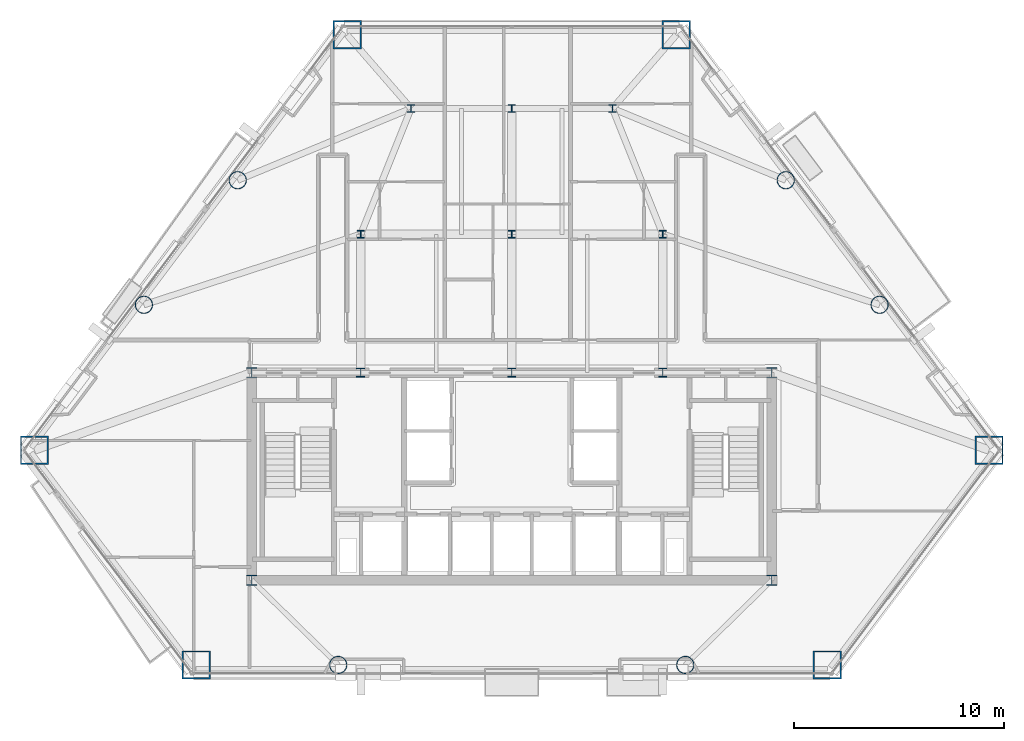
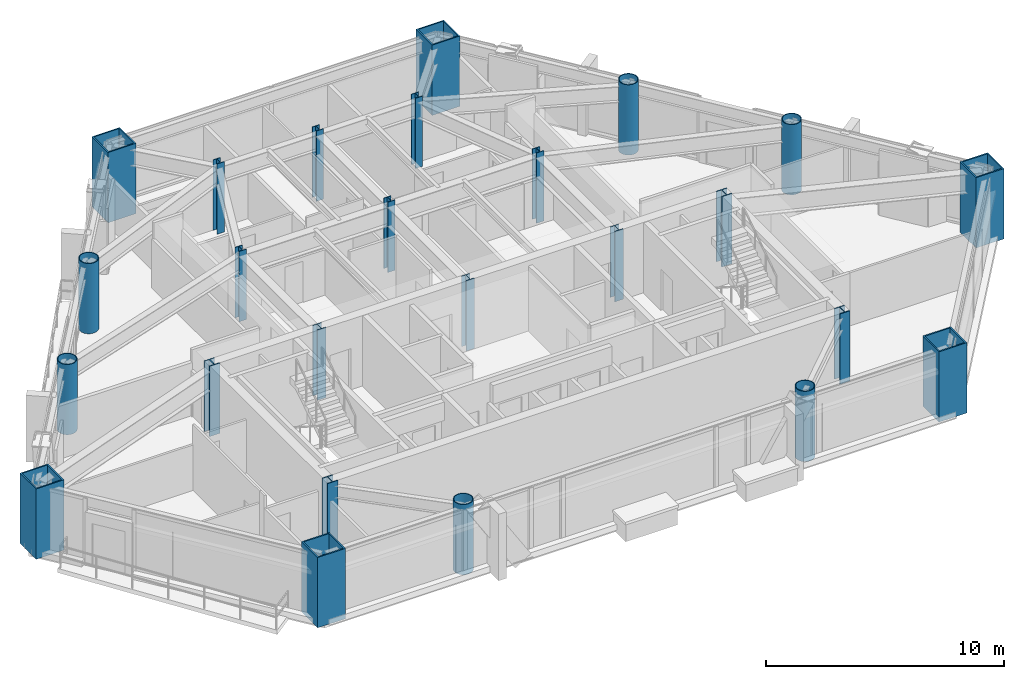
# One storey, part 1 of 11: 25 columns.
"""IFC4 building model written with IfcOpenShell, lengths in metres."""

from ifc_helpers import new_model, si_unit, direction, frame, origin, origin_2d, place, context, subcontext, project, spatial, hollow_rectangle, hollow_circle, i_section, extrude, material, material_profile, profile_set, type_object, element, save


model = new_model("IFC4")

# Units and contexts
model_context = context("Model", 3, precision=1e-05, world=origin(), true_north=direction((0.0, 1.0)))
body_context = subcontext(model_context, "Body", "Model", "MODEL_VIEW")
ifc_project = project(units=[si_unit("LENGTHUNIT", "METRE"), si_unit("AREAUNIT", "SQUARE_METRE"), si_unit("VOLUMEUNIT", "CUBIC_METRE"), si_unit("PLANEANGLEUNIT", "RADIAN"), si_unit("MASSUNIT", "GRAM", prefix="KILO")], contexts=[model_context])

# Site, building, storey
site_placement = place(None, origin())
site = spatial("IfcSite", under=ifc_project, at=site_placement, CompositionType="ELEMENT")
building_placement = place(site_placement, origin())
building = spatial("IfcBuilding", under=site, at=building_placement, Name="Talgorran Terracotta Tower", CompositionType="ELEMENT")
storey_placement = place(building_placement, frame((0.0, 0.0, 45.89990234375)))
storey = spatial("IfcBuildingStorey", under=building, at=storey_placement, Name="L11", CompositionType="ELEMENT", Elevation=45.89990234375)

# Columns
ifc_material_1 = material(Name="Steel S355 (300PLUS)", Category="steel")
ifc_material_profile_1 = material_profile(ifc_material_1, i_section(OverallWidth=0.35009765625, OverallDepth=0.366943359375, WebThickness=0.02490234375, FlangeThickness=0.031982421875, at=origin_2d()), Name="350WC258")
ifc_profile_set_1 = profile_set([ifc_material_profile_1], Name="Steel S355 (300PLUS)")
column_type_1 = type_object("IfcColumnType", Name="COL_350WC258", PredefinedType="COLUMN", material=ifc_profile_set_1)
for number, where, z_axis, x_axis, name in (
    (1, (-7.199951171875, 2.39990234375, 0.0), (0.0, 0.0, 1.0), (1.0, 0.0, 0.0), "L11 Interior Gravity Column IC1"),
    (2, (0.0, 2.39990234375, 0.0), (0.0, 0.0, 1.0), (1.0, 0.0, 0.0), "L11 Interior Gravity Column IC2"),
    (3, (7.199951171875, 2.39990234375, 0.0), (0.0, 0.0, 1.0), (1.0, 0.0, 0.0), "L11 Interior Gravity Column IC3"),
    (4, (-4.800048828125, 8.39990234375, 0.0), (0.0, 0.0, 1.0), (1.0, 0.0, 0.0), "L11 Interior Gravity Column IC4"),
    (5, (0.0, 8.39990234375, 0.0), (0.0, 0.0, 1.0), (1.0, 0.0, 0.0), "L11 Interior Gravity Column IC5"),
    (6, (4.800048828125, 8.39990234375, 0.0), (0.0, 0.0, 1.0), (1.0, 0.0, 0.0), "L11 Interior Gravity Column IC6"),
):
    element("IfcColumn", number, at=place(storey_placement, frame(where, z_axis=z_axis, x_axis=x_axis)), inside=storey, type_object=column_type_1, Name=name, PredefinedType="COLUMN", context=body_context, shape_type="SweptSolid", body=[
        extrude(i_section(OverallWidth=0.35009765625, OverallDepth=0.366943359375, WebThickness=0.02490234375, FlangeThickness=0.031982421875, at=origin_2d()), origin(), (0.0, 0.0, 1.0), 3.60009765625),
    ])
ifc_material_profile_2 = material_profile(ifc_material_1, i_section(OverallWidth=0.5, OverallDepth=0.48193359375, WebThickness=0.0400390625, FlangeThickness=0.044921875, at=origin_2d()), Name="500WC440")
ifc_profile_set_2 = profile_set([ifc_material_profile_2], Name="Steel S355 (300PLUS)")
column_type_2 = type_object("IfcColumnType", Name="COL_500WC440", PredefinedType="COLUMN", material=ifc_profile_set_2)
for number, where, z_axis, x_axis, name in (
    (7, (-12.39990234375, -14.10009765625, 0.0), (0.0, 0.0, 1.0), (1.0, 0.0, 0.0), "L11 Core Boundary Column CC1"),
    (8, (12.39990234375, -14.10009765625, 0.0), (0.0, 0.0, 1.0), (1.0, 0.0, 0.0), "L11 Core Boundary Column CC2"),
    (9, (12.39990234375, -4.199951171875, 0.0), (0.0, 0.0, 1.0), (1.0, 0.0, 0.0), "L11 Core Boundary Column CC3"),
    (10, (-12.39990234375, -4.199951171875, 0.0), (0.0, 0.0, 1.0), (1.0, 0.0, 0.0), "L11 Core Boundary Column CC4"),
):
    element("IfcColumn", number, at=place(storey_placement, frame(where, z_axis=z_axis, x_axis=x_axis)), inside=storey, type_object=column_type_2, Name=name, PredefinedType="COLUMN", context=body_context, shape_type="SweptSolid", body=[
        extrude(i_section(OverallWidth=0.5, OverallDepth=0.48193359375, WebThickness=0.0400390625, FlangeThickness=0.044921875, at=origin_2d()), origin(), (0.0, 0.0, 1.0), 3.60009765625),
    ])
ifc_material_2 = material(Name="Steel Grade 350 (350L0)", Category="steel")
ifc_material_profile_3 = material_profile(ifc_material_2, hollow_rectangle(XDim=1.35009765625, YDim=1.35009765625, WallThickness=0.06494140625, at=origin_2d()), Name="CFT1350X1350X65")
ifc_profile_set_3 = profile_set([ifc_material_profile_3], Name="Steel Grade 350 (350L0)")
column_type_3 = type_object("IfcColumnType", Name="COL_CFT_1350", PredefinedType="COLUMN", material=ifc_profile_set_3)
for number, where, z_axis, x_axis, name in (
    (11, (-22.759033203125, -7.892333984375, 0.0), (0.0, 0.0, 1.0), (1.0, 0.0, 0.0), "L11 Corner CFT Mega-Column MC1"),
    (12, (-15.0439453125, -18.135498046875, 0.0), (0.0, 0.0, 1.0), (1.0, 0.0, 0.0), "L11 Corner CFT Mega-Column MC2"),
    (13, (15.0439453125, -18.135498046875, 0.0), (0.0, 0.0, 1.0), (1.0, 0.0, 0.0), "L11 Corner CFT Mega-Column MC3"),
    (14, (22.759033203125, -7.892333984375, 0.0), (0.0, 0.0, 1.0), (1.0, 0.0, 0.0), "L11 Corner CFT Mega-Column MC4"),
    (15, (7.847412109375, 11.90576171875, 0.0), (0.0, 0.0, 1.0), (1.0, 0.0, 0.0), "L11 Corner CFT Mega-Column MC5"),
    (16, (-7.847412109375, 11.90576171875, 0.0), (0.0, 0.0, 1.0), (1.0, 0.0, 0.0), "L11 Corner CFT Mega-Column MC6"),
):
    element("IfcColumn", number, at=place(storey_placement, frame(where, z_axis=z_axis, x_axis=x_axis)), inside=storey, type_object=column_type_3, Name=name, PredefinedType="COLUMN", context=body_context, shape_type="SweptSolid", body=[
        extrude(hollow_rectangle(XDim=1.35009765625, YDim=1.35009765625, WallThickness=0.06494140625, at=origin_2d()), origin(), (0.0, 0.0, 1.0), 3.60009765625),
    ])
ifc_material_profile_4 = material_profile(ifc_material_2, hollow_circle(Radius=0.425048828125, WallThickness=0.0380859375, at=origin_2d()), Name="CHS850X38")
ifc_profile_set_4 = profile_set([ifc_material_profile_4], Name="Steel Grade 350 (350L0)")
column_type_4 = type_object("IfcColumnType", Name="COL_CHS_850", PredefinedType="COLUMN", material=ifc_profile_set_4)
for number, where, z_axis, x_axis, name in (
    (17, (-8.274169921875, -18.135498046875, 0.0), (0.0, 0.0, 1.0), (1.0, 0.0, 0.0), "L11 Facet Perimeter Column FC1"),
    (18, (8.274169921875, -18.135498046875, 0.0), (0.0, 0.0, 1.0), (1.0, 0.0, 0.0), "L11 Facet Perimeter Column FC2"),
    (19, (17.539794921875, -0.963134765625, 0.0), (0.0, 0.0, 1.0), (1.0, 0.0, 0.0), "L11 Facet Perimeter Column FC3"),
    (20, (13.06640625, 4.976318359375, 0.0), (0.0, 0.0, 1.0), (1.0, 0.0, 0.0), "L11 Facet Perimeter Column FC4"),
    (21, (-13.06640625, 4.976318359375, 0.0), (0.0, 0.0, 1.0), (1.0, 0.0, 0.0), "L11 Facet Perimeter Column FC5"),
    (22, (-17.539794921875, -0.963134765625, 0.0), (0.0, 0.0, 1.0), (1.0, 0.0, 0.0), "L11 Facet Perimeter Column FC6"),
):
    element("IfcColumn", number, at=place(storey_placement, frame(where, z_axis=z_axis, x_axis=x_axis)), inside=storey, type_object=column_type_4, Name=name, PredefinedType="COLUMN", context=body_context, shape_type="SweptSolid", body=[
        extrude(hollow_circle(Radius=0.425048828125, WallThickness=0.0380859375, at=origin_2d()), origin(), (0.0, 0.0, 1.0), 3.60009765625),
    ])
ifc_material_profile_5 = material_profile(ifc_material_1, i_section(OverallWidth=0.405029296875, OverallDepth=0.4140625, WebThickness=0.02197265625, FlangeThickness=0.031982421875, at=origin_2d()), Name="400WC270")
ifc_profile_set_5 = profile_set([ifc_material_profile_5], Name="Steel S355 (300PLUS)")
column_type_5 = type_object("IfcColumnType", Name="COL_PIL_400WC270", PredefinedType="PILASTER", material=ifc_profile_set_5)
for number, where, z_axis, x_axis, name in (
    (23, (-7.199951171875, -4.199951171875, 0.0), (0.0, 0.0, 1.0), (1.0, 0.0, 0.0), "L11 Core Shear Pilaster CP1"),
    (24, (0.0, -4.199951171875, 0.0), (0.0, 0.0, 1.0), (1.0, 0.0, 0.0), "L11 Core Shear Pilaster CP2"),
    (25, (7.199951171875, -4.199951171875, 0.0), (0.0, 0.0, 1.0), (1.0, 0.0, 0.0), "L11 Core Shear Pilaster CP3"),
):
    element("IfcColumn", number, at=place(storey_placement, frame(where, z_axis=z_axis, x_axis=x_axis)), inside=storey, type_object=column_type_5, Name=name, PredefinedType="PILASTER", context=body_context, shape_type="SweptSolid", body=[
        extrude(i_section(OverallWidth=0.405029296875, OverallDepth=0.4140625, WebThickness=0.02197265625, FlangeThickness=0.031982421875, at=origin_2d()), origin(), (0.0, 0.0, 1.0), 3.60009765625),
    ])

save(model, "model.ifc")
